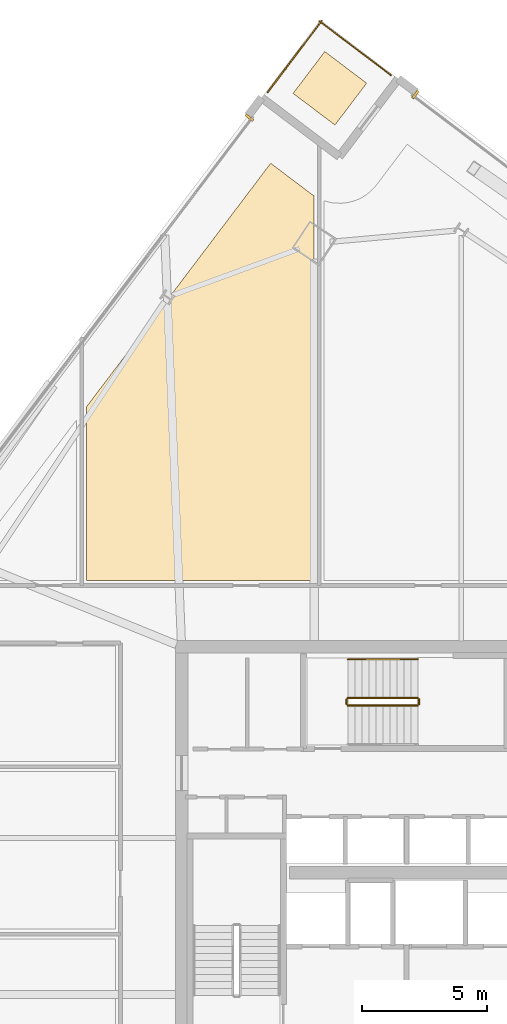
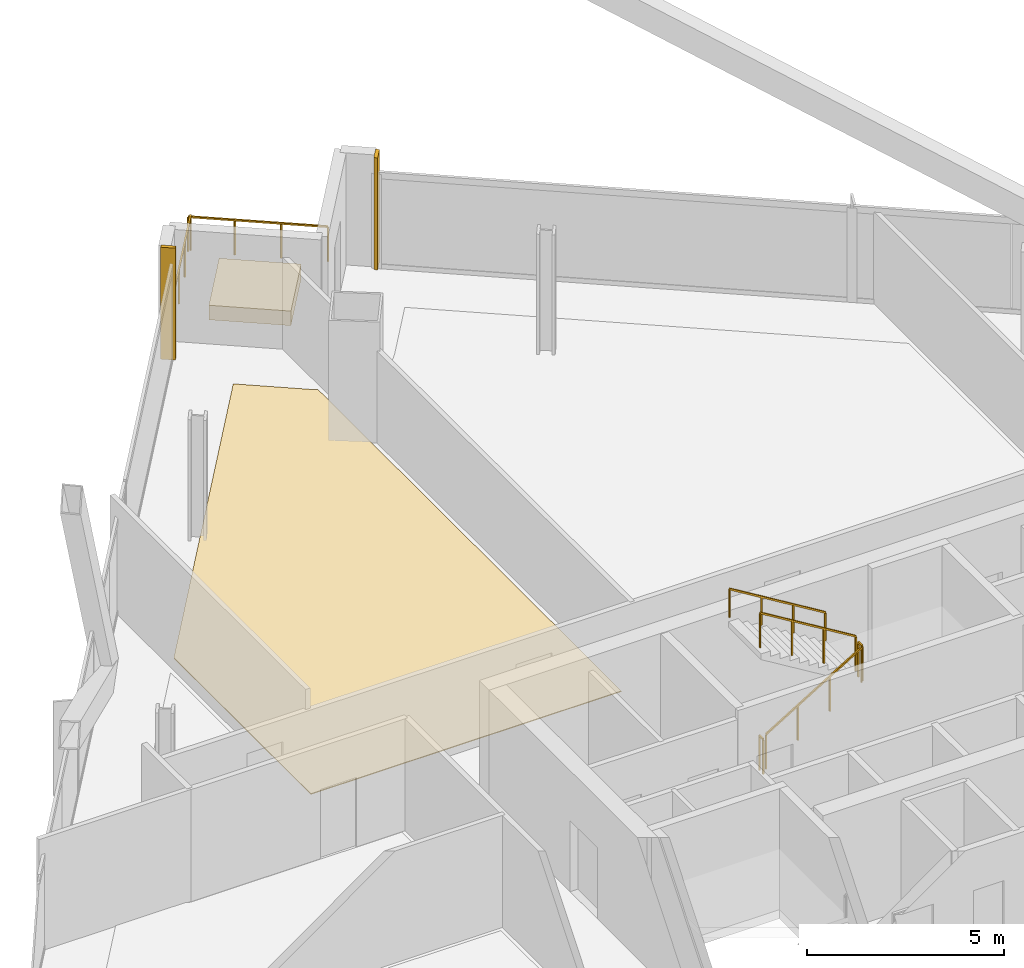
# One storey, part 33 of 34: 7 railings, 4 coverings.
"""IFC4 building model written with IfcOpenShell, lengths in metres."""

from ifc_helpers import new_model, si_unit, direction, frame, origin, origin_2d, place, context, subcontext, project, spatial, polyline, rectangle, outline, extrude, source, transform, mapped, material, layer, layer_set, type_object, element, save


model = new_model("IFC4")

# Units and contexts
model_context = context("Model", 3, precision=1e-05, world=origin(), true_north=direction((0.0, 1.0)))
body_context = subcontext(model_context, "Body", "Model", "MODEL_VIEW")
ifc_project = project(units=[si_unit("LENGTHUNIT", "METRE"), si_unit("AREAUNIT", "SQUARE_METRE"), si_unit("VOLUMEUNIT", "CUBIC_METRE"), si_unit("PLANEANGLEUNIT", "RADIAN"), si_unit("MASSUNIT", "GRAM", prefix="KILO")], contexts=[model_context])

# Site, building, storey
site_placement = place(None, origin())
site = spatial("IfcSite", under=ifc_project, at=site_placement, CompositionType="ELEMENT")
building_placement = place(site_placement, origin())
building = spatial("IfcBuilding", under=site, at=building_placement, Name="Haldenkirk Collegiate Tower", CompositionType="ELEMENT")
storey_placement = place(building_placement, frame((0.0, 0.0, 205.949951171875)))
storey = spatial("IfcBuildingStorey", under=building, at=storey_placement, Name="L51", CompositionType="ELEMENT", Elevation=205.949951171875)

# Coverings
ifc_material_1 = material(Name="Polished collegiate terrazzo", Category="concrete")
ifc_layer_1 = layer(ifc_material_1, 0.02490234375)
ifc_layer_set_1 = layer_set([ifc_layer_1], Name="Polished collegiate terrazzo")
covering_type_1 = type_object("IfcCoveringType", Name="COV-FLOOR-TERRAZZO", PredefinedType="FLOORING", material=ifc_layer_set_1)
covering_1_placement = place(storey_placement, origin())
element("IfcCovering", 1, at=covering_1_placement, inside=storey, type_object=covering_type_1, Name="L51 academic room finish 04", PredefinedType="FLOORING", context=body_context, shape_type="SweptSolid", body=[
    extrude(outline(polyline([(32.182861328125, 52.119384765625), (32.187744140625, 52.115966796875), (32.300048828125, 52.03955078125), (32.300048828125, 36.64990234375), (23.199951171875, 36.64990234375), (23.199951171875, 43.607421875), (30.563720703125, 53.343994140625), (32.182861328125, 52.119384765625)])), origin(), (0.0, 0.0, 1.0), 0.025146484375),
])
ifc_material_2 = material(Name="Precast concrete f'c 40 MPa", Category="concrete")
ifc_layer_2 = layer(ifc_material_2, 0.449951171875)
ifc_layer_set_2 = layer_set([ifc_layer_2], Name="Precast concrete f'c 40 MPa")
covering_type_2 = type_object("IfcCoveringType", Name="COV-PLANTER-450", PredefinedType="USERDEFINED", material=ifc_layer_set_2)
covering_2_placement = place(storey_placement, origin())
element("IfcCovering", 2, at=covering_2_placement, inside=storey, type_object=covering_type_2, Name="L51 planted garden planter bed", ObjectType="PLANTER", PredefinedType="USERDEFINED", context=body_context, shape_type="SweptSolid", body=[
    extrude(outline(polyline([(33.135986328125, 54.87158203125), (31.4609375, 56.138427734375), (32.727783203125, 57.8134765625), (34.402587890625, 56.546630859375), (33.135986328125, 54.87158203125)])), origin(), (0.0, 0.0, 1.0), 0.449951171875),
])

# Railings
ifc_material_3 = material(Name="Painted architectural tubular steel", Category="steel")
railing_type_1 = type_object("IfcRailingType", Name="RLG-STAIR-GUARD-1100", PredefinedType="BALUSTRADE", material=ifc_material_3)
railing_1_placement = place(storey_placement, frame((33.64990234375, 31.64990234375, 0.17041015625)))
element("IfcRailing", 3, at=railing_1_placement, inside=storey, type_object=railing_type_1, Name="L51 ST-3 stair guard 1", PredefinedType="BALUSTRADE", context=body_context, shape_type="SweptSolid", body=[
    extrude(rectangle(XDim=0.048095703125, YDim=0.048095703125, at=origin_2d()), frame((0.0, 0.0, 1.076171875), z_axis=(0.854169791009, 0.0, 0.51999420009), x_axis=(0.0, 1.0, 0.0)), (0.0, 0.0, 1.0), 3.278076171875),
    extrude(rectangle(XDim=0.0419921875, YDim=0.0419921875, at=origin_2d()), origin(), (0.0, 0.0, 1.0), 1.052001953125),
    extrude(rectangle(XDim=0.0419921875, YDim=0.0419921875, at=origin_2d()), frame((0.933349609375, 0.0, 0.568115234375)), (0.0, 0.0, 1.0), 1.052001953125),
    extrude(rectangle(XDim=0.0419921875, YDim=0.0419921875, at=origin_2d()), frame((1.86669921875, 0.0, 1.136474609375)), (0.0, 0.0, 1.0), 1.052001953125),
    extrude(rectangle(XDim=0.0419921875, YDim=0.0419921875, at=origin_2d()), frame((2.800048828125, 0.0, 1.70458984375)), (0.0, 0.0, 1.0), 1.052001953125),
])
railing_2_placement = place(storey_placement, frame((36.5, 31.699951171875, 1.875)))
element("IfcRailing", 4, at=railing_2_placement, inside=storey, type_object=railing_type_1, Name="L51 ST-3 stair guard 2", PredefinedType="BALUSTRADE", context=body_context, shape_type="SweptSolid", body=[
    extrude(rectangle(XDim=0.048095703125, YDim=0.048095703125, at=origin_2d()), frame((0.0, 0.0, 1.076171875), z_axis=(0.0, 1.0, 0.0), x_axis=(-1.0, 0.0, 0.0)), (0.0, 0.0, 1.0), 0.199951171875),
    extrude(rectangle(XDim=0.0419921875, YDim=0.0419921875, at=origin_2d()), origin(), (0.0, 0.0, 1.0), 1.052001953125),
    extrude(rectangle(XDim=0.0419921875, YDim=0.0419921875, at=origin_2d()), frame((0.0, 0.199951171875, 0.0)), (0.0, 0.0, 1.0), 1.052001953125),
])
railing_3_placement = place(storey_placement, frame((36.449951171875, 31.949951171875, 2.04541015625)))
element("IfcRailing", 5, at=railing_3_placement, inside=storey, type_object=railing_type_1, Name="L51 ST-3 stair guard 3", PredefinedType="BALUSTRADE", context=body_context, shape_type="SweptSolid", body=[
    extrude(rectangle(XDim=0.048095703125, YDim=0.048095703125, at=origin_2d()), frame((0.0, 0.0, 1.076171875), z_axis=(-0.854169791009, 0.0, 0.51999420009), x_axis=(0.0, -1.0, 0.0)), (0.0, 0.0, 1.0), 3.278076171875),
    extrude(rectangle(XDim=0.0419921875, YDim=0.0419921875, at=origin_2d()), origin(), (0.0, 0.0, 1.0), 1.052001953125),
    extrude(rectangle(XDim=0.0419921875, YDim=0.0419921875, at=origin_2d()), frame((-0.933349609375, 0.0, 0.568115234375)), (0.0, 0.0, 1.0), 1.052001953125),
    extrude(rectangle(XDim=0.0419921875, YDim=0.0419921875, at=origin_2d()), frame((-1.86669921875, 0.0, 1.136474609375)), (0.0, 0.0, 1.0), 1.052001953125),
    extrude(rectangle(XDim=0.0419921875, YDim=0.0419921875, at=origin_2d()), frame((-2.800048828125, 0.0, 1.70458984375)), (0.0, 0.0, 1.0), 1.052001953125),
])
railing_4_placement = place(storey_placement, frame((33.60009765625, 31.699951171875, 0.0)))
element("IfcRailing", 6, at=railing_4_placement, inside=storey, type_object=railing_type_1, Name="L51 ST-3 stair guard 4", PredefinedType="BALUSTRADE", context=body_context, shape_type="SweptSolid", body=[
    extrude(rectangle(XDim=0.048095703125, YDim=0.048095703125, at=origin_2d()), frame((0.0, 0.0, 1.076171875), z_axis=(0.0, 1.0, 0.0), x_axis=(-1.0, 0.0, 0.0)), (0.0, 0.0, 1.0), 0.199951171875),
    extrude(rectangle(XDim=0.0419921875, YDim=0.0419921875, at=origin_2d()), origin(), (0.0, 0.0, 1.0), 1.052001953125),
    extrude(rectangle(XDim=0.0419921875, YDim=0.0419921875, at=origin_2d()), frame((0.0, 0.199951171875, 0.0)), (0.0, 0.0, 1.0), 1.052001953125),
])
railing_type_2 = type_object("IfcRailingType", Name="RLG-STAIR-HANDRAIL-900", PredefinedType="HANDRAIL", material=ifc_material_3)
railing_5_placement = place(storey_placement, frame((36.449951171875, 33.5, 2.04541015625)))
element("IfcRailing", 7, at=railing_5_placement, inside=storey, type_object=railing_type_2, Name="L51 ST-3 stair handrail 2", PredefinedType="HANDRAIL", context=body_context, shape_type="SweptSolid", body=[
    extrude(rectangle(XDim=0.048095703125, YDim=0.048095703125, at=origin_2d()), frame((0.0, 0.0, 0.8759765625), z_axis=(-0.854169791009, 0.0, 0.51999420009), x_axis=(0.0, -1.0, 0.0)), (0.0, 0.0, 1.0), 3.278076171875),
    extrude(rectangle(XDim=0.0419921875, YDim=0.0419921875, at=origin_2d()), origin(), (0.0, 0.0, 1.0), 0.851806640625),
    extrude(rectangle(XDim=0.0419921875, YDim=0.0419921875, at=origin_2d()), frame((-0.933349609375, 0.0, 0.568115234375)), (0.0, 0.0, 1.0), 0.851806640625),
    extrude(rectangle(XDim=0.0419921875, YDim=0.0419921875, at=origin_2d()), frame((-1.86669921875, 0.0, 1.136474609375)), (0.0, 0.0, 1.0), 0.851806640625),
    extrude(rectangle(XDim=0.0419921875, YDim=0.0419921875, at=origin_2d()), frame((-2.800048828125, 0.0, 1.70458984375)), (0.0, 0.0, 1.0), 0.851806640625),
])
ifc_material_4 = material(Name="Anodised architectural bronze aluminium", Category="aluminium")
railing_type_3 = type_object("IfcRailingType", Name="RLG-TERR-BALUSTRADE-1100", PredefinedType="BALUSTRADE", material=ifc_material_4)
railing_6_placement = place(storey_placement, frame((35.3720703125, 56.86669921875, 0.0)))
element("IfcRailing", 8, at=railing_6_placement, inside=storey, type_object=railing_type_3, Name="L51 terrace guard balustrade 2-1", PredefinedType="BALUSTRADE", context=body_context, shape_type="SweptSolid", body=[
    extrude(rectangle(XDim=0.048095703125, YDim=0.048095703125, at=origin_2d()), frame((0.0, 0.0, 1.076171875), z_axis=(-0.797604116636, 0.603181293746, 0.0), x_axis=(-0.603181293746, -0.797604116636, 0.0)), (0.0, 0.0, 1.0), 3.580078125),
    extrude(rectangle(XDim=0.0419921875, YDim=0.0419921875, at=origin_2d()), origin(), (0.0, 0.0, 1.0), 1.052001953125),
    extrude(rectangle(XDim=0.0419921875, YDim=0.0419921875, at=origin_2d()), frame((-0.951904296875, 0.7197265625, 0.0)), (0.0, 0.0, 1.0), 1.052001953125),
    extrude(rectangle(XDim=0.0419921875, YDim=0.0419921875, at=origin_2d()), frame((-1.903564453125, 1.439697265625, 0.0)), (0.0, 0.0, 1.0), 1.052001953125),
    extrude(rectangle(XDim=0.0419921875, YDim=0.0419921875, at=origin_2d()), frame((-2.85546875, 2.159423828125, 0.0)), (0.0, 0.0, 1.0), 1.052001953125),
])
railing_7_placement = place(storey_placement, frame((32.6005859375, 59.037841796875, 0.0)))
element("IfcRailing", 9, at=railing_7_placement, inside=storey, type_object=railing_type_3, Name="L51 terrace guard balustrade 3-1", PredefinedType="BALUSTRADE", context=body_context, shape_type="SweptSolid", body=[
    extrude(rectangle(XDim=0.048095703125, YDim=0.048095703125, at=origin_2d()), frame((0.0, 0.0, 1.076171875), z_axis=(-0.603214103437, -0.797579303527, 0.0), x_axis=(0.797579303527, -0.603214103437, 0.0)), (0.0, 0.0, 1.0), 3.579833984375),
    extrude(rectangle(XDim=0.0419921875, YDim=0.0419921875, at=origin_2d()), origin(), (0.0, 0.0, 1.0), 1.052001953125),
    extrude(rectangle(XDim=0.0419921875, YDim=0.0419921875, at=origin_2d()), frame((-0.7197265625, -0.95166015625, 0.0)), (0.0, 0.0, 1.0), 1.052001953125),
    extrude(rectangle(XDim=0.0419921875, YDim=0.0419921875, at=origin_2d()), frame((-1.439697265625, -1.903564453125, 0.0)), (0.0, 0.0, 1.0), 1.052001953125),
    extrude(rectangle(XDim=0.0419921875, YDim=0.0419921875, at=origin_2d()), frame((-2.159423828125, -2.855224609375, 0.0)), (0.0, 0.0, 1.0), 1.052001953125),
])

# Coverings
ifc_layer_3 = layer(ifc_material_4, 0.06005859375)
ifc_layer_set_3 = layer_set([ifc_layer_3], Name="Anodised architectural bronze aluminium")
covering_type_3 = type_object("IfcCoveringType", Name="COV-CLAD-BRONZE-60", PredefinedType="CLADDING", material=ifc_layer_set_3)
shared_shape = source(origin(), body_context, "Body", "SweptSolid", [
    extrude(rectangle(XDim=0.10009765625, YDim=0.3798828125, at=origin_2d()), origin(), (0.0, 0.0, 1.0), 3.469970703125),
])
for number, where, z_axis, x_axis, name in (
    (10, (36.350830078125, 56.0888671875, 0.0), (0.0, 0.0, 1.0), (0.797583928825, -0.603207987745, 0.0), "L51 recessed curtain-wall bronze jamb closure EJL"),
    (11, (29.711181640625, 55.16748046875, 0.0), (0.0, 0.0, 1.0), (0.603207987745, 0.797583928825, 0.0), "L51 recessed curtain-wall bronze jamb closure NJR"),
):
    element("IfcCovering", number, at=place(storey_placement, frame(where, z_axis=z_axis, x_axis=x_axis)), inside=storey, type_object=covering_type_3, Name=name, PredefinedType="CLADDING", context=body_context, shape_type="MappedRepresentation", body=[
        mapped(shared_shape, transform((0.0, 0.0, 0.0), x_axis=(1.0, 0.0, 0.0), y_axis=(0.0, 1.0, 0.0), z_axis=(0.0, 0.0, 1.0), scale=1.0)),
    ])

save(model, "model.ifc")
